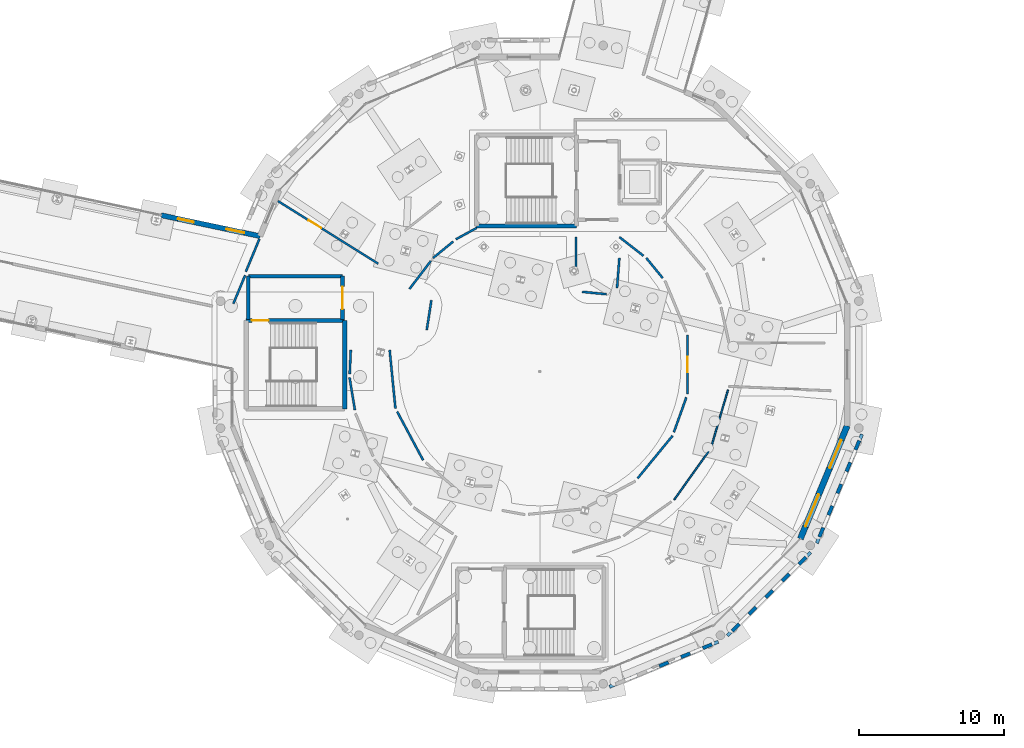
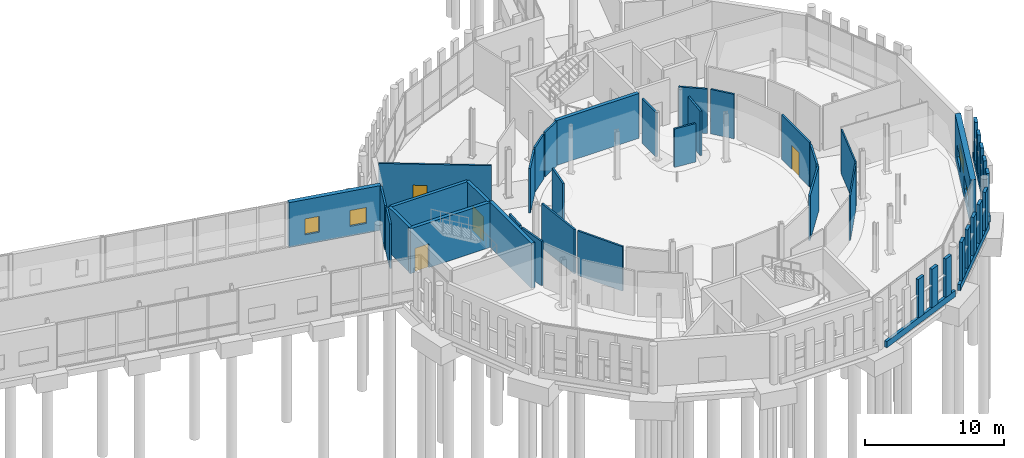
# One storey, part 90 of 113: 45 walls, 4 doors, 4 windows, 8 openings.
"""IFC4 building model written with IfcOpenShell, lengths in metres."""

from ifc_helpers import new_model, si_unit, direction, frame, frame_2d, origin, place, context, subcontext, project, spatial, rectangle, extrude, material, layer, layer_set, type_object, element, fill, save


model = new_model("IFC4")

# Units and contexts
model_context = context("Model", 3, precision=1e-05, world=origin(), true_north=direction((0.0, 1.0)))
body_context = subcontext(model_context, "Body", "Model", "MODEL_VIEW")
ifc_project = project(units=[si_unit("LENGTHUNIT", "METRE"), si_unit("AREAUNIT", "SQUARE_METRE"), si_unit("VOLUMEUNIT", "CUBIC_METRE"), si_unit("PLANEANGLEUNIT", "RADIAN"), si_unit("MASSUNIT", "GRAM", prefix="KILO")], contexts=[model_context])

# Site, building, storey
site_placement = place(None, origin())
site = spatial("IfcSite", under=ifc_project, at=site_placement, CompositionType="ELEMENT")
building_placement = place(site_placement, origin())
building = spatial("IfcBuilding", under=site, at=building_placement, Name="Wrenclough Park School", CompositionType="ELEMENT")
storey_placement = place(building_placement, origin())
storey = spatial("IfcBuildingStorey", under=building, at=storey_placement, Name="L00", CompositionType="ELEMENT", Elevation=0.0)

# Walls
ifc_material_1 = material(Name="Perforated open-bond Staffordshire and Manchester brick screen pier", Category="masonry")
ifc_layer_1 = layer(ifc_material_1, 0.2451171875)
ifc_layer_set_1 = layer_set([ifc_layer_1], Name="Perforated open-bond Staffordshire and Manchester brick screen pier")
wall_type_1 = type_object("IfcWallType", Name="ENV-BS-PR245", PredefinedType="ELEMENTEDWALL", material=ifc_layer_set_1)
for number, where, z_axis, x_axis, name in (
    (1, (163.748291015625, 5.694580078125, 0.550048828125), (0.0, 0.0, 1.0), (0.923846936838, 0.382762115804, 0.0), "D1 L00 perforated brick screen pier 0040"),
    (2, (165.25048828125, 6.31689453125, 0.550048828125), (0.0, 0.0, 1.0), (0.923846936838, 0.382762115804, 0.0), "D1 L00 perforated brick screen pier 0041"),
    (3, (166.752685546875, 6.939208984375, 0.550048828125), (0.0, 0.0, 1.0), (0.923846936838, 0.382762115804, 0.0), "D1 L00 perforated brick screen pier 0042"),
):
    element("IfcWall", number, at=place(storey_placement, frame(where, z_axis=z_axis, x_axis=x_axis)), inside=storey, type_object=wall_type_1, Name=name, PredefinedType="ELEMENTEDWALL", context=body_context, shape_type="SweptSolid", body=[
        extrude(rectangle(XDim=0.68310546875, YDim=0.2451171875, at=frame_2d((0.341552734375, 0.0))), origin(), (0.0, 0.0, 1.0), 3.389892578125),
    ])
for number, where, z_axis, x_axis, name in (
    (4, (168.78271484375, 8.135498046875, 0.550048828125), (0.0, 0.0, 1.0), (0.707106781187, 0.707106781187, 0.0), "D1 L00 perforated brick screen pier 0043"),
    (5, (169.9326171875, 9.28515625, 0.550048828125), (0.0, 0.0, 1.0), (0.706927970528, 0.707285546639, 0.0), "D1 L00 perforated brick screen pier 0044"),
    (6, (171.082275390625, 10.434814453125, 0.550048828125), (0.0, 0.0, 1.0), (0.707106781187, 0.707106781187, 0.0), "D1 L00 perforated brick screen pier 0045"),
    (7, (172.23193359375, 11.584716796875, 0.550048828125), (0.0, 0.0, 1.0), (0.707285546639, 0.706927970528, 0.0), "D1 L00 perforated brick screen pier 0046"),
    (8, (173.381591796875, 12.734375, 0.550048828125), (0.0, 0.0, 1.0), (0.707106781187, 0.707106781187, 0.0), "D1 L00 perforated brick screen pier 0047"),
):
    element("IfcWall", number, at=place(storey_placement, frame(where, z_axis=z_axis, x_axis=x_axis)), inside=storey, type_object=wall_type_1, Name=name, PredefinedType="ELEMENTEDWALL", context=body_context, shape_type="SweptSolid", body=[
        extrude(rectangle(XDim=0.682861328125, YDim=0.2451171875, at=frame_2d((0.34130859375, 0.0))), origin(), (0.0, 0.0, 1.0), 3.389892578125),
    ])
for number, where, z_axis, x_axis, name in (
    (9, (174.79931640625, 14.6162109375, 0.550048828125), (0.0, 0.0, 1.0), (0.382762115804, 0.923846936838, 0.0), "D1 L00 perforated brick screen pier 0048"),
    (10, (175.421630859375, 16.118408203125, 0.550048828125), (0.0, 0.0, 1.0), (0.382762115804, 0.923846936838, 0.0), "D1 L00 perforated brick screen pier 0049"),
    (11, (176.0439453125, 17.62060546875, 0.550048828125), (0.0, 0.0, 1.0), (0.382762115804, 0.923846936838, 0.0), "D1 L00 perforated brick screen pier 0050"),
    (12, (176.666259765625, 19.122802734375, 0.550048828125), (0.0, 0.0, 1.0), (0.38245702535, 0.923973280869, 0.0), "D1 L00 perforated brick screen pier 0051"),
    (13, (177.288330078125, 20.625, 0.550048828125), (0.0, 0.0, 1.0), (0.382762115804, 0.923846936838, 0.0), "D1 L00 perforated brick screen pier 0052"),
):
    element("IfcWall", number, at=place(storey_placement, frame(where, z_axis=z_axis, x_axis=x_axis)), inside=storey, type_object=wall_type_1, Name=name, PredefinedType="ELEMENTEDWALL", context=body_context, shape_type="SweptSolid", body=[
        extrude(rectangle(XDim=0.68310546875, YDim=0.2451171875, at=frame_2d((0.341552734375, 0.0))), origin(), (0.0, 0.0, 1.0), 3.389892578125),
    ])
ifc_material_2 = material(Name="Open-bond Manchester multi-stock brick spandrel screen", Category="masonry")
ifc_layer_2 = layer(ifc_material_2, 0.22509765625)
ifc_layer_set_2 = layer_set([ifc_layer_2], Name="Open-bond Manchester multi-stock brick spandrel screen")
wall_type_2 = type_object("IfcWallType", Name="ENV-BS-SP225", PredefinedType="ELEMENTEDWALL", material=ifc_layer_set_2)
wall_1_placement = place(storey_placement, frame((160.308349609375, 4.269775390625, 0.0), z_axis=(0.0, 0.0, 1.0), x_axis=(0.923871890562, 0.382701881142, 0.0)))
element("IfcWall", 14, at=wall_1_placement, inside=storey, type_object=wall_type_2, Name="D1 L00 open-bond brick screen spandrel 0010", PredefinedType="ELEMENTEDWALL", context=body_context, shape_type="SweptSolid", body=[
    extrude(rectangle(XDim=8.1298828125, YDim=0.22509765625, at=frame_2d((4.06494140625, 0.0))), origin(), (0.0, 0.0, 1.0), 0.550048828125),
])
wall_2_placement = place(storey_placement, frame((168.449462890625, 7.802001953125, 0.0), z_axis=(0.0, 0.0, 1.0), x_axis=(0.707106781187, 0.707106781187, 0.0)))
element("IfcWall", 15, at=wall_2_placement, inside=storey, type_object=wall_type_2, Name="D1 L00 open-bond brick screen spandrel 0011", PredefinedType="ELEMENTEDWALL", context=body_context, shape_type="SweptSolid", body=[
    extrude(rectangle(XDim=8.129638671875, YDim=0.22509765625, at=frame_2d((4.06494140625, 0.0))), origin(), (0.0, 0.0, 1.0), 0.550048828125),
])
wall_3_placement = place(storey_placement, frame((174.618896484375, 14.1806640625, 0.0), z_axis=(0.0, 0.0, 1.0), x_axis=(0.382701881142, 0.923871890562, 0.0)))
element("IfcWall", 16, at=wall_3_placement, inside=storey, type_object=wall_type_2, Name="D1 L00 open-bond brick screen spandrel 0012", PredefinedType="ELEMENTEDWALL", context=body_context, shape_type="SweptSolid", body=[
    extrude(rectangle(XDim=8.1298828125, YDim=0.22509765625, at=frame_2d((4.06494140625, 0.0))), origin(), (0.0, 0.0, 1.0), 0.550048828125),
])

# Wall, openings, windows
ifc_material_3 = material(Name="Staffordshire blue-grey brick and Concrete C35/45 inner leaf", Category="masonry")
ifc_layer_3 = layer(ifc_material_3, 0.35009765625)
ifc_layer_set_3 = layer_set([ifc_layer_3], Name="Staffordshire blue-grey brick and Concrete C35/45 inner leaf")
wall_type_3 = type_object("IfcWallType", Name="ENV-EW-350", PredefinedType="SOLIDWALL", material=ifc_layer_set_3)
wall_4_placement = place(storey_placement, frame((129.381103515625, 36.804443359375, 0.0), z_axis=(0.0, 0.0, 1.0), x_axis=(0.978380607177, -0.206812445224, 0.0)))
wall_4 = element("IfcWall", 17, at=wall_4_placement, inside=storey, type_object=wall_type_3, Name="L00 insulated brick external wall 0050", PredefinedType="SOLIDWALL", context=body_context, shape_type="SweptSolid", body=[
    extrude(rectangle(XDim=6.980224609375, YDim=0.35009765625, at=frame_2d((3.490234375, 0.0))), origin(), (0.0, 0.0, 1.0), 3.93994140625),
])
opening_1_placement = place(wall_4_placement, frame((1.195068359375, 0.0, 0.85009765625)))
opening_1 = element("IfcOpeningElement", 18, at=opening_1_placement, cuts=wall_4, Name="Opening WN-03", PredefinedType="OPENING", context=body_context, shape_type="SweptSolid", body=[
    extrude(rectangle(XDim=1.10009765625, YDim=1.39990234375, at=frame_2d((0.550048828125, 0.699951171875))), frame((0.0, 0.18505859375, 0.0), z_axis=(0.0, -1.0, 0.0), x_axis=(1.0, 0.0, 0.0)), (0.0, 0.0, 1.0), 0.3701171875),
])
opening_2_placement = place(wall_4_placement, frame((4.610107421875, 0.0, 0.85009765625)))
opening_2 = element("IfcOpeningElement", 19, at=opening_2_placement, cuts=wall_4, Name="Opening WN-04", PredefinedType="OPENING", context=body_context, shape_type="SweptSolid", body=[
    extrude(rectangle(XDim=1.25, YDim=1.39990234375, at=frame_2d((0.625, 0.699951171875))), frame((0.0, 0.18505859375, 0.0), z_axis=(0.0, -1.0, 0.0), x_axis=(1.0, 0.0, 0.0)), (0.0, 0.0, 1.0), 0.3701171875),
])
ifc_material_4 = material(Name="Thermally broken aluminium and double-glazed low-e glass", Category="aluminium")
window_type_1 = type_object("IfcWindowType", Name="ENV-WN-03", PartitioningType="SINGLE_PANEL", PredefinedType="WINDOW", material=ifc_material_4)
window_1_placement = place(opening_1_placement, origin())
window_1 = element("IfcWindow", 20, at=window_1_placement, inside=storey, type_object=window_type_1, Name="L00 scheduled facade window 0058", OverallHeight=1.39990234375, OverallWidth=1.10009765625, PartitioningType="SINGLE_PANEL", PredefinedType="WINDOW", context=body_context, shape_type="SweptSolid", body=[
    extrude(rectangle(XDim=1.10009765625, YDim=1.39990234375, at=frame_2d((0.550048828125, 0.699951171875))), frame((0.0, 0.030029296875, 0.0), z_axis=(0.0, -1.0, 0.0), x_axis=(1.0, 0.0, 0.0)), (0.0, 0.0, 1.0), 0.06005859375),
])
fill(opening_1, window_1)
window_type_2 = type_object("IfcWindowType", Name="ENV-WN-04", PartitioningType="SINGLE_PANEL", PredefinedType="WINDOW", material=ifc_material_4)
window_2_placement = place(opening_2_placement, origin())
window_2 = element("IfcWindow", 21, at=window_2_placement, inside=storey, type_object=window_type_2, Name="L00 scheduled facade window 0059", OverallHeight=1.39990234375, OverallWidth=1.25, PartitioningType="SINGLE_PANEL", PredefinedType="WINDOW", context=body_context, shape_type="SweptSolid", body=[
    extrude(rectangle(XDim=1.25, YDim=1.39990234375, at=frame_2d((0.625, 0.699951171875))), frame((0.0, 0.030029296875, 0.0), z_axis=(0.0, -1.0, 0.0), x_axis=(1.0, 0.0, 0.0)), (0.0, 0.0, 1.0), 0.06005859375),
])
fill(opening_2, window_2)

ifc_material_5 = material(Name="Insulated brick-clad sports hall wall Concrete C40/50", Category="masonry")
ifc_layer_4 = layer(ifc_material_5, 0.425048828125)
ifc_layer_set_4 = layer_set([ifc_layer_4], Name="Insulated brick-clad sports hall wall Concrete C40/50")
wall_type_4 = type_object("IfcWallType", Name="ENV-EW-425", PredefinedType="SOLIDWALL", material=ifc_layer_set_4)
wall_5_placement = place(storey_placement, frame((176.712158203125, 22.28076171875, 0.0), z_axis=(0.0, 0.0, 1.0), x_axis=(-0.382671186453, -0.923884604839, 0.0)))
wall_5 = element("IfcWall", 22, at=wall_5_placement, inside=storey, type_object=wall_type_4, Name="L00 insulated brick external wall 0037", PredefinedType="SOLIDWALL", context=body_context, shape_type="SweptSolid", body=[
    extrude(rectangle(XDim=8.438720703125, YDim=0.425048828125, at=frame_2d((4.21923828125, 0.0))), origin(), (0.0, 0.0, 1.0), 3.93994140625),
])
opening_3_placement = place(wall_5_placement, frame((1.059814453125, 0.0, 0.85009765625)))
opening_3 = element("IfcOpeningElement", 23, at=opening_3_placement, cuts=wall_5, Name="Opening WN-40", PredefinedType="OPENING", context=body_context, shape_type="SweptSolid", body=[
    extrude(rectangle(XDim=2.10009765625, YDim=1.14990234375, at=frame_2d((1.050048828125, 0.574951171875))), frame((0.0, 0.222412109375, 0.0), z_axis=(0.0, -1.0, 0.0), x_axis=(1.0, 0.0, 0.0)), (0.0, 0.0, 1.0), 0.445068359375),
])
opening_4_placement = place(wall_5_placement, frame((5.12890625, 0.0, 0.85009765625)))
opening_4 = element("IfcOpeningElement", 24, at=opening_4_placement, cuts=wall_5, Name="Opening WN-41", PredefinedType="OPENING", context=body_context, shape_type="SweptSolid", body=[
    extrude(rectangle(XDim=2.39990234375, YDim=1.14990234375, at=frame_2d((1.199951171875, 0.574951171875))), frame((0.0, 0.222412109375, 0.0), z_axis=(0.0, -1.0, 0.0), x_axis=(1.0, 0.0, 0.0)), (0.0, 0.0, 1.0), 0.445068359375),
])
window_type_3 = type_object("IfcWindowType", Name="ENV-WN-40", PartitioningType="DOUBLE_PANEL_VERTICAL", PredefinedType="WINDOW", material=ifc_material_4)
window_3_placement = place(opening_3_placement, origin())
window_3 = element("IfcWindow", 25, at=window_3_placement, inside=storey, type_object=window_type_3, Name="L00 scheduled facade window 0039", OverallHeight=1.14990234375, OverallWidth=2.10009765625, PartitioningType="SINGLE_PANEL", PredefinedType="WINDOW", context=body_context, shape_type="SweptSolid", body=[
    extrude(rectangle(XDim=2.10009765625, YDim=1.14990234375, at=frame_2d((1.050048828125, 0.574951171875))), frame((0.0, 0.030029296875, 0.0), z_axis=(0.0, -1.0, 0.0), x_axis=(1.0, 0.0, 0.0)), (0.0, 0.0, 1.0), 0.06005859375),
])
fill(opening_3, window_3)
window_type_4 = type_object("IfcWindowType", Name="ENV-WN-41", PartitioningType="DOUBLE_PANEL_VERTICAL", PredefinedType="WINDOW", material=ifc_material_4)
window_4_placement = place(opening_4_placement, origin())
window_4 = element("IfcWindow", 26, at=window_4_placement, inside=storey, type_object=window_type_4, Name="L00 scheduled facade window 0040", OverallHeight=1.14990234375, OverallWidth=2.39990234375, PartitioningType="SINGLE_PANEL", PredefinedType="WINDOW", context=body_context, shape_type="SweptSolid", body=[
    extrude(rectangle(XDim=2.39990234375, YDim=1.14990234375, at=frame_2d((1.199951171875, 0.574951171875))), frame((0.0, 0.030029296875, 0.0), z_axis=(0.0, -1.0, 0.0), x_axis=(1.0, 0.0, 0.0)), (0.0, 0.0, 1.0), 0.06005859375),
])
fill(opening_4, window_4)

# Wall, opening, door
ifc_material_6 = material(Name="Concrete C35/45", Category="concrete")
ifc_layer_5 = layer(ifc_material_6, 0.25)
ifc_layer_set_5 = layer_set([ifc_layer_5], Name="Concrete C35/45")
wall_type_5 = type_object("IfcWallType", Name="INT-CW-250", PredefinedType="SHEAR", material=ifc_layer_set_5)
wall_6_placement = place(storey_placement, frame((141.89990234375, 29.60009765625, 0.0), z_axis=(0.0, 0.0, 1.0), x_axis=(0.0, 1.0, 0.0)))
wall_6 = element("IfcWall", 27, at=wall_6_placement, inside=storey, type_object=wall_type_5, Name="Core C1C L00 lobby fire wall east", PredefinedType="SHEAR", context=body_context, shape_type="SweptSolid", body=[
    extrude(rectangle(XDim=3.0, YDim=0.25, at=frame_2d((1.5, 0.0))), origin(), (0.0, 0.0, 1.0), 3.949951171875),
])
opening_5_placement = place(wall_6_placement, frame((0.72509765625, 0.0, 0.0)))
opening_5 = element("IfcOpeningElement", 28, at=opening_5_placement, cuts=wall_6, Name="Opening DLB-C1C-L00", PredefinedType="OPENING", context=body_context, shape_type="SweptSolid", body=[
    extrude(rectangle(XDim=1.550048828125, YDim=2.14990234375, at=frame_2d((0.77490234375, 1.074951171875))), frame((0.0, 0.135009765625, 0.0), z_axis=(0.0, -1.0, 0.0), x_axis=(1.0, 0.0, 0.0)), (0.0, 0.0, 1.0), 0.27001953125),
])
ifc_material_7 = material(Name="Protected stair lobby double fire door assembly", Category="wood")
door_type_1 = type_object("IfcDoorType", Name="INT-DR-LB155", OperationType="NOTDEFINED", PredefinedType="DOOR", material=ifc_material_7)
door_1_placement = place(opening_5_placement, frame((1.550048828125, 0.0, 0.0), z_axis=(0.0, 0.0, 1.0), x_axis=(-1.0, 0.0, 0.0)))
door_1 = element("IfcDoor", 29, at=door_1_placement, inside=storey, type_object=door_type_1, Name="Core C1C L00 protected lobby fire door", OperationType="DOUBLE_DOOR_SINGLE_SWING", OverallHeight=2.14990234375, OverallWidth=1.550048828125, PredefinedType="DOOR", context=body_context, shape_type="SweptSolid", body=[
    extrude(rectangle(XDim=1.550048828125, YDim=2.14990234375, at=frame_2d((0.77490234375, 1.074951171875))), frame((0.0, 0.02490234375, 0.0), z_axis=(0.0, -1.0, 0.0), x_axis=(1.0, 0.0, 0.0)), (0.0, 0.0, 1.0), 0.050048828125),
])
fill(opening_5, door_1)

# Walls
wall_7_placement = place(storey_placement, frame((141.89990234375, 32.60009765625, 0.0), z_axis=(0.0, 0.0, 1.0), x_axis=(-1.0, 0.0, 0.0)))
element("IfcWall", 30, at=wall_7_placement, inside=storey, type_object=wall_type_5, Name="Core C1C L00 lobby fire wall north", PredefinedType="SHEAR", context=body_context, shape_type="SweptSolid", body=[
    extrude(rectangle(XDim=6.5, YDim=0.25, at=frame_2d((3.25, 0.0))), origin(), (0.0, 0.0, 1.0), 3.949951171875),
])
wall_8_placement = place(storey_placement, frame((135.39990234375, 32.60009765625, 0.0), z_axis=(0.0, 0.0, 1.0), x_axis=(0.0, -1.0, 0.0)))
element("IfcWall", 31, at=wall_8_placement, inside=storey, type_object=wall_type_5, Name="Core C1C L00 lobby fire wall west", PredefinedType="SHEAR", context=body_context, shape_type="SweptSolid", body=[
    extrude(rectangle(XDim=3.0, YDim=0.25, at=frame_2d((1.5, 0.0))), origin(), (0.0, 0.0, 1.0), 3.949951171875),
])
ifc_material_8 = material(Name="Concrete C40/50", Category="concrete")
ifc_layer_6 = layer(ifc_material_8, 0.2900390625)
ifc_layer_set_6 = layer_set([ifc_layer_6], Name="Concrete C40/50")
wall_type_6 = type_object("IfcWallType", Name="INT-CW-290", PredefinedType="SHEAR", material=ifc_layer_set_6)
wall_9_placement = place(storey_placement, frame((151.155029296875, 36.054931640625, 0.0), z_axis=(0.0, 0.0, 1.0), x_axis=(1.0, 0.0, 0.0)))
element("IfcWall", 32, at=wall_9_placement, inside=storey, type_object=wall_type_6, Name="Core C1 L00 south shear wall", PredefinedType="SHEAR", context=body_context, shape_type="SweptSolid", body=[
    extrude(rectangle(XDim=6.889892578125, YDim=0.2900390625, at=frame_2d((3.44482421875, 0.0))), origin(), (0.0, 0.0, 1.0), 3.949951171875),
])
wall_10_placement = place(storey_placement, frame((142.044921875, 23.455078125, 0.0), z_axis=(0.0, 0.0, 1.0), x_axis=(0.0, 1.0, 0.0)))
element("IfcWall", 33, at=wall_10_placement, inside=storey, type_object=wall_type_6, Name="Core C1C L00 east shear wall", PredefinedType="SHEAR", context=body_context, shape_type="SweptSolid", body=[
    extrude(rectangle(XDim=6.08984375, YDim=0.2900390625, at=frame_2d((3.044921875, 0.0))), origin(), (0.0, 0.0, 1.0), 3.949951171875),
])

# Wall, opening, door
wall_11_placement = place(storey_placement, frame((142.044921875, 29.544921875, 0.0), z_axis=(0.0, 0.0, 1.0), x_axis=(-1.0, 0.0, 0.0)))
wall_11 = element("IfcWall", 34, at=wall_11_placement, inside=storey, type_object=wall_type_6, Name="Core C1C L00 north shear wall", PredefinedType="SHEAR", context=body_context, shape_type="SweptSolid", body=[
    extrude(rectangle(XDim=6.7900390625, YDim=0.2900390625, at=frame_2d((3.39501953125, 0.0))), origin(), (0.0, 0.0, 1.0), 3.949951171875),
])
opening_6_placement = place(wall_11_placement, frame((5.25, 0.0, 0.0)))
opening_6 = element("IfcOpeningElement", 35, at=opening_6_placement, cuts=wall_11, Name="Opening DST-C1C-L00", PredefinedType="OPENING", context=body_context, shape_type="SweptSolid", body=[
    extrude(rectangle(XDim=1.14990234375, YDim=2.10009765625, at=frame_2d((0.574951171875, 1.050048828125))), frame((0.0, 0.155029296875, 0.0), z_axis=(0.0, -1.0, 0.0), x_axis=(1.0, 0.0, 0.0)), (0.0, 0.0, 1.0), 0.31005859375),
])
ifc_material_9 = material(Name="Protected escape stair single fire door assembly", Category="wood")
door_type_2 = type_object("IfcDoorType", Name="INT-DR-ST115", OperationType="NOTDEFINED", PredefinedType="DOOR", material=ifc_material_9)
door_2_placement = place(opening_6_placement, frame((1.14990234375, 0.0, 0.0), z_axis=(0.0, 0.0, 1.0), x_axis=(-1.0, 0.0, 0.0)))
door_2 = element("IfcDoor", 36, at=door_2_placement, inside=storey, type_object=door_type_2, Name="Stair ST-12 L00 fire door", OperationType="SINGLE_SWING_LEFT", OverallHeight=2.10009765625, OverallWidth=1.14990234375, PredefinedType="DOOR", context=body_context, shape_type="SweptSolid", body=[
    extrude(rectangle(XDim=1.14990234375, YDim=2.10009765625, at=frame_2d((0.574951171875, 1.050048828125))), frame((0.0, 0.02490234375, 0.0), z_axis=(0.0, -1.0, 0.0), x_axis=(1.0, 0.0, 0.0)), (0.0, 0.0, 1.0), 0.050048828125),
])
fill(opening_6, door_2)

# Walls
ifc_material_10 = material(Name="Lightweight fire-rated store partition", Category="gypsum")
ifc_layer_7 = layer(ifc_material_10, 0.110107421875)
ifc_layer_set_7 = layer_set([ifc_layer_7], Name="Lightweight fire-rated store partition")
wall_type_7 = type_object("IfcWallType", Name="INT-PW-110", PredefinedType="PARTITIONING", material=ifc_layer_set_7)
wall_12_placement = place(storey_placement, frame((168.489013671875, 24.76025390625, 0.0), z_axis=(0.0, 0.0, 1.0), x_axis=(-0.280484185709, -0.95985864666, 0.0)))
element("IfcWall", 37, at=wall_12_placement, inside=storey, type_object=wall_type_7, Name="L00 internal partition 0031", PredefinedType="PARTITIONING", context=body_context, shape_type="SweptSolid", body=[
    extrude(rectangle(XDim=4.220703125, YDim=0.110107421875, at=frame_2d((2.1103515625, 0.0))), origin(), (0.0, 0.0, 1.0), 3.9150390625),
])
wall_13_placement = place(storey_placement, frame((167.159912109375, 20.506103515625, 0.0), z_axis=(0.0, 0.0, 1.0), x_axis=(-0.582480148931, -0.812844927462, 0.0)))
element("IfcWall", 38, at=wall_13_placement, inside=storey, type_object=wall_type_7, Name="L00 internal partition 0032", PredefinedType="PARTITIONING", context=body_context, shape_type="SweptSolid", body=[
    extrude(rectangle(XDim=4.088623046875, YDim=0.110107421875, at=frame_2d((2.04443359375, 0.0))), origin(), (0.0, 0.0, 1.0), 3.9150390625),
])
ifc_material_11 = material(Name="Protected corridor partition", Category="gypsum")
ifc_layer_8 = layer(ifc_material_11, 0.14990234375)
ifc_layer_set_8 = layer_set([ifc_layer_8], Name="Protected corridor partition")
wall_type_8 = type_object("IfcWallType", Name="INT-PW-150", PredefinedType="PARTITIONING", material=ifc_layer_set_8)
wall_14_placement = place(storey_placement, frame((142.75, 23.37451171875, 0.0), z_axis=(0.0, 0.0, 1.0), x_axis=(-0.16274062978, 0.986668884388, 0.0)))
element("IfcWall", 39, at=wall_14_placement, inside=storey, type_object=wall_type_8, Name="L00 internal partition 0027", PredefinedType="PARTITIONING", context=body_context, shape_type="SweptSolid", body=[
    extrude(rectangle(XDim=2.268310546875, YDim=0.14990234375, at=frame_2d((1.13427734375, 0.0))), origin(), (0.0, 0.0, 1.0), 3.9150390625),
])
wall_15_placement = place(storey_placement, frame((142.392333984375, 25.8623046875, 0.0), z_axis=(0.0, 0.0, 1.0), x_axis=(0.045641406821, 0.998957887993, 0.0)))
element("IfcWall", 40, at=wall_15_placement, inside=storey, type_object=wall_type_8, Name="L00 internal partition 0028", PredefinedType="PARTITIONING", context=body_context, shape_type="SweptSolid", body=[
    extrude(rectangle(XDim=1.658203125, YDim=0.14990234375, at=frame_2d((0.8291015625, 0.0))), origin(), (0.0, 0.0, 1.0), 3.9150390625),
])
wall_16_placement = place(storey_placement, frame((135.179931640625, 32.6640625, 0.0), z_axis=(0.0, 0.0, 1.0), x_axis=(-0.382629511238, -0.92390186553, 0.0)))
element("IfcWall", 41, at=wall_16_placement, inside=storey, type_object=wall_type_8, Name="L00 internal partition 0029", PredefinedType="PARTITIONING", context=body_context, shape_type="SweptSolid", body=[
    extrude(rectangle(XDim=2.1220703125, YDim=0.14990234375, at=frame_2d((1.06103515625, 0.0))), origin(), (0.0, 0.0, 1.0), 3.9150390625),
])

# Wall, opening, door
wall_17_placement = place(storey_placement, frame((165.7001953125, 24.47119140625, 0.0), z_axis=(0.0, 0.0, 1.0), x_axis=(0.0, 1.0, 0.0)))
wall_17 = element("IfcWall", 42, at=wall_17_placement, inside=storey, type_object=wall_type_8, Name="L00 internal partition 0043", PredefinedType="PARTITIONING", context=body_context, shape_type="SweptSolid", body=[
    extrude(rectangle(XDim=4.0576171875, YDim=0.14990234375, at=frame_2d((2.02880859375, 0.0))), origin(), (0.0, 0.0, 1.0), 3.9150390625),
])
opening_7_placement = place(wall_17_placement, frame((1.489013671875, 0.0, 0.0)))
opening_7 = element("IfcOpeningElement", 43, at=opening_7_placement, cuts=wall_17, Name="Opening DR-L00-005", PredefinedType="OPENING", context=body_context, shape_type="SweptSolid", body=[
    extrude(rectangle(XDim=1.080078125, YDim=2.1201171875, at=frame_2d((0.5400390625, 1.06005859375))), frame((0.0, 0.0849609375, 0.0), z_axis=(0.0, -1.0, 0.0), x_axis=(1.0, 0.0, 0.0)), (0.0, 0.0, 1.0), 0.169921875),
])
ifc_material_12 = material(Name="Sixth-form seminar room door assembly", Category="wood")
door_type_3 = type_object("IfcDoorType", Name="INT-DR-CL108", OperationType="NOTDEFINED", PredefinedType="DOOR", material=ifc_material_12)
door_3_placement = place(opening_7_placement, origin())
door_3 = element("IfcDoor", 44, at=door_3_placement, inside=storey, type_object=door_type_3, Name="Fitness Conditioning Studio door DR-L00-005", OperationType="SINGLE_SWING_RIGHT", OverallHeight=2.1201171875, OverallWidth=1.080078125, PredefinedType="DOOR", context=body_context, shape_type="SweptSolid", body=[
    extrude(rectangle(XDim=1.080078125, YDim=2.1201171875, at=frame_2d((0.5400390625, 1.06005859375))), frame((0.0, 0.02490234375, 0.0), z_axis=(0.0, -1.0, 0.0), x_axis=(1.0, 0.0, 0.0)), (0.0, 0.0, 1.0), 0.050048828125),
])
fill(opening_7, door_3)

# Walls
wall_18_placement = place(storey_placement, frame((163.98876953125, 32.47119140625, 0.0), z_axis=(0.0, 0.0, 1.0), x_axis=(-0.634366805564, 0.773032183029, 0.0)))
element("IfcWall", 45, at=wall_18_placement, inside=storey, type_object=wall_type_8, Name="L00 internal partition 0045", PredefinedType="PARTITIONING", context=body_context, shape_type="SweptSolid", body=[
    extrude(rectangle(XDim=1.788818359375, YDim=0.14990234375, at=frame_2d((0.89453125, 0.0))), origin(), (0.0, 0.0, 1.0), 3.9150390625),
])
wall_19_placement = place(storey_placement, frame((162.65673828125, 34.00732421875, 0.0), z_axis=(0.0, 0.0, 1.0), x_axis=(-0.789020035583, 0.614367466138, 0.0)))
element("IfcWall", 46, at=wall_19_placement, inside=storey, type_object=wall_type_8, Name="L00 internal partition 0046", PredefinedType="PARTITIONING", context=body_context, shape_type="SweptSolid", body=[
    extrude(rectangle(XDim=2.09814453125, YDim=0.14990234375, at=frame_2d((1.049072265625, 0.0))), origin(), (0.0, 0.0, 1.0), 3.9150390625),
])
wall_20_placement = place(storey_placement, frame((160.995849609375, 33.84326171875, 0.0), z_axis=(0.0, 0.0, 1.0), x_axis=(-0.077287507527, -0.997008847092, 0.0)))
element("IfcWall", 47, at=wall_20_placement, inside=storey, type_object=wall_type_8, Name="L00 internal partition 0047", PredefinedType="PARTITIONING", context=body_context, shape_type="SweptSolid", body=[
    extrude(rectangle(XDim=2.05322265625, YDim=0.14990234375, at=frame_2d((1.026611328125, 0.0))), origin(), (0.0, 0.0, 1.0), 3.9150390625),
])
wall_21_placement = place(storey_placement, frame((160.1142578125, 31.355712890625, 0.0), z_axis=(0.0, 0.0, 1.0), x_axis=(-0.995196256092, 0.097900009499, 0.0)))
element("IfcWall", 48, at=wall_21_placement, inside=storey, type_object=wall_type_8, Name="L00 internal partition 0048", PredefinedType="PARTITIONING", context=body_context, shape_type="SweptSolid", body=[
    extrude(rectangle(XDim=1.688232421875, YDim=0.14990234375, at=frame_2d((0.84423828125, 0.0))), origin(), (0.0, 0.0, 1.0), 3.3837890625),
])
wall_22_placement = place(storey_placement, frame((158.004150390625, 33.249267578125, 0.0), z_axis=(0.0, 0.0, 1.0), x_axis=(-0.001552607707, 0.999998794704, 0.0)))
element("IfcWall", 49, at=wall_22_placement, inside=storey, type_object=wall_type_8, Name="L00 internal partition 0049", PredefinedType="PARTITIONING", context=body_context, shape_type="SweptSolid", body=[
    extrude(rectangle(XDim=2.044189453125, YDim=0.14990234375, at=frame_2d((1.02197265625, 0.0))), origin(), (0.0, 0.0, 1.0), 3.9150390625),
])
wall_23_placement = place(storey_placement, frame((151.155029296875, 35.928955078125, 0.0), z_axis=(0.0, 0.0, 1.0), x_axis=(-0.877849839279, -0.478935966156, 0.0)))
element("IfcWall", 50, at=wall_23_placement, inside=storey, type_object=wall_type_8, Name="L00 internal partition 0050", PredefinedType="PARTITIONING", context=body_context, shape_type="SweptSolid", body=[
    extrude(rectangle(XDim=1.63232421875, YDim=0.14990234375, at=frame_2d((0.816162109375, 0.0))), origin(), (0.0, 0.0, 1.0), 3.9150390625),
])
wall_24_placement = place(storey_placement, frame((149.52880859375, 34.98876953125, 0.0), z_axis=(0.0, 0.0, 1.0), x_axis=(-0.773032183029, -0.634366805564, 0.0)))
element("IfcWall", 51, at=wall_24_placement, inside=storey, type_object=wall_type_8, Name="L00 internal partition 0051", PredefinedType="PARTITIONING", context=body_context, shape_type="SweptSolid", body=[
    extrude(rectangle(XDim=1.788818359375, YDim=0.14990234375, at=frame_2d((0.89453125, 0.0))), origin(), (0.0, 0.0, 1.0), 3.9150390625),
])
wall_25_placement = place(storey_placement, frame((147.99462890625, 33.6552734375, 0.0), z_axis=(0.0, 0.0, 1.0), x_axis=(-0.606441659599, -0.795127985611, 0.0)))
element("IfcWall", 52, at=wall_25_placement, inside=storey, type_object=wall_type_8, Name="L00 internal partition 0052", PredefinedType="PARTITIONING", context=body_context, shape_type="SweptSolid", body=[
    extrude(rectangle(XDim=2.4365234375, YDim=0.14990234375, at=frame_2d((1.21826171875, 0.0))), origin(), (0.0, 0.0, 1.0), 3.9150390625),
])
wall_26_placement = place(storey_placement, frame((148.0283203125, 30.943603515625, 0.0), z_axis=(0.0, 0.0, 1.0), x_axis=(-0.153604850803, -0.988132354399, 0.0)))
element("IfcWall", 53, at=wall_26_placement, inside=storey, type_object=wall_type_8, Name="L00 internal partition 0053", PredefinedType="PARTITIONING", context=body_context, shape_type="SweptSolid", body=[
    extrude(rectangle(XDim=2.07421875, YDim=0.14990234375, at=frame_2d((1.037109375, 0.0))), origin(), (0.0, 0.0, 1.0), 3.9150390625),
])
wall_27_placement = place(storey_placement, frame((145.14892578125, 27.4970703125, 0.0), z_axis=(0.0, 0.0, 1.0), x_axis=(0.098844867188, -0.995102855101, 0.0)))
element("IfcWall", 54, at=wall_27_placement, inside=storey, type_object=wall_type_8, Name="L00 internal partition 0054", PredefinedType="PARTITIONING", context=body_context, shape_type="SweptSolid", body=[
    extrude(rectangle(XDim=4.035888671875, YDim=0.14990234375, at=frame_2d((2.01806640625, 0.0))), origin(), (0.0, 0.0, 1.0), 3.9150390625),
])
for number, where, z_axis, x_axis, name in (
    (55, (145.66552734375, 23.260498046875, 0.0), (0.0, 0.0, 1.0), (0.471436596753, -0.881899957615, 0.0), "L00 internal partition 0055"),
    (56, (162.25634765625, 18.654052734375, 0.0), (0.0, 0.0, 1.0), (0.634427630334, 0.772982264912, 0.0), "L00 internal partition 0061"),
):
    element("IfcWall", number, at=place(storey_placement, frame(where, z_axis=z_axis, x_axis=x_axis)), inside=storey, type_object=wall_type_8, Name=name, PredefinedType="PARTITIONING", context=body_context, shape_type="SweptSolid", body=[
        extrude(rectangle(XDim=3.807861328125, YDim=0.14990234375, at=frame_2d((1.90380859375, 0.0))), origin(), (0.0, 0.0, 1.0), 3.9150390625),
    ])
wall_28_placement = place(storey_placement, frame((164.756103515625, 21.83251953125, 0.0), z_axis=(0.0, 0.0, 1.0), x_axis=(0.336923992408, 0.94153184935, 0.0)))
element("IfcWall", 57, at=wall_28_placement, inside=storey, type_object=wall_type_8, Name="L00 internal partition 0062", PredefinedType="PARTITIONING", context=body_context, shape_type="SweptSolid", body=[
    extrude(rectangle(XDim=2.552734375, YDim=0.14990234375, at=frame_2d((1.2763671875, 0.0))), origin(), (0.0, 0.0, 1.0), 3.9150390625),
])
wall_29_placement = place(storey_placement, frame((135.22802734375, 32.9091796875, 0.0), z_axis=(0.0, 0.0, 1.0), x_axis=(0.382528310119, 0.923943770993, 0.0)))
element("IfcWall", 58, at=wall_29_placement, inside=storey, type_object=wall_type_8, Name="L00 internal partition 0141", PredefinedType="PARTITIONING", context=body_context, shape_type="SweptSolid", body=[
    extrude(rectangle(XDim=2.443115234375, YDim=0.14990234375, at=frame_2d((1.2216796875, 0.0))), origin(), (0.0, 0.0, 1.0), 3.9150390625),
])

# Wall, opening, door
ifc_material_13 = material(Name="Moisture-resistant sanitary service wall", Category="gypsum")
ifc_layer_9 = layer(ifc_material_13, 0.139892578125)
ifc_layer_set_9 = layer_set([ifc_layer_9], Name="Moisture-resistant sanitary service wall")
wall_type_9 = type_object("IfcWallType", Name="INT-SV-140", PredefinedType="PLUMBINGWALL", material=ifc_layer_set_9)
wall_30_placement = place(storey_placement, frame((137.44580078125, 37.781494140625, 0.0), z_axis=(0.0, 0.0, 1.0), x_axis=(0.848052179613, -0.529912729281, 0.0)))
wall_30 = element("IfcWall", 59, at=wall_30_placement, inside=storey, type_object=wall_type_9, Name="L00 internal partition 0041", PredefinedType="PLUMBINGWALL", context=body_context, shape_type="SweptSolid", body=[
    extrude(rectangle(XDim=8.14599609375, YDim=0.139892578125, at=frame_2d((4.072998046875, 0.0))), origin(), (0.0, 0.0, 1.0), 3.9150390625),
])
opening_8_placement = place(wall_30_placement, frame((2.494140625, 0.0, 0.0)))
opening_8 = element("IfcOpeningElement", 60, at=opening_8_placement, cuts=wall_30, Name="Opening DR-L00-004", PredefinedType="OPENING", context=body_context, shape_type="SweptSolid", body=[
    extrude(rectangle(XDim=1.02001953125, YDim=2.06005859375, at=frame_2d((0.510009765625, 1.030029296875))), frame((0.0, 0.079833984375, 0.0), z_axis=(0.0, -1.0, 0.0), x_axis=(1.0, 0.0, 0.0)), (0.0, 0.0, 1.0), 0.159912109375),
])
ifc_material_14 = material(Name="Accessible WC outward-opening fire door assembly", Category="wood")
door_type_4 = type_object("IfcDoorType", Name="INT-DR-AWC102", OperationType="NOTDEFINED", PredefinedType="DOOR", material=ifc_material_14)
door_4_placement = place(opening_8_placement, frame((1.02001953125, 0.0, 0.0), z_axis=(0.0, 0.0, 1.0), x_axis=(-1.0, 0.0, 0.0)))
door_4 = element("IfcDoor", 61, at=door_4_placement, inside=storey, type_object=door_type_4, Name="Accessible WC D1 Ground door DR-L00-004", OperationType="SINGLE_SWING_LEFT", OverallHeight=2.06005859375, OverallWidth=1.02001953125, PredefinedType="DOOR", context=body_context, shape_type="SweptSolid", body=[
    extrude(rectangle(XDim=1.02001953125, YDim=2.06005859375, at=frame_2d((0.510009765625, 1.030029296875))), frame((0.0, 0.02490234375, 0.0), z_axis=(0.0, -1.0, 0.0), x_axis=(1.0, 0.0, 0.0)), (0.0, 0.0, 1.0), 0.050048828125),
])
fill(opening_8, door_4)

save(model, "model.ifc")
